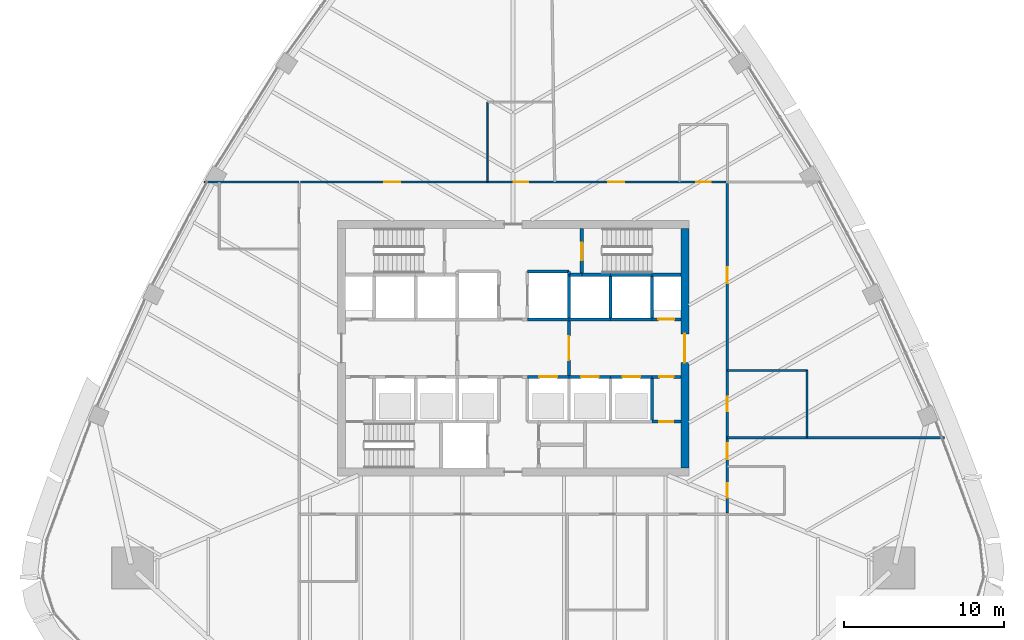
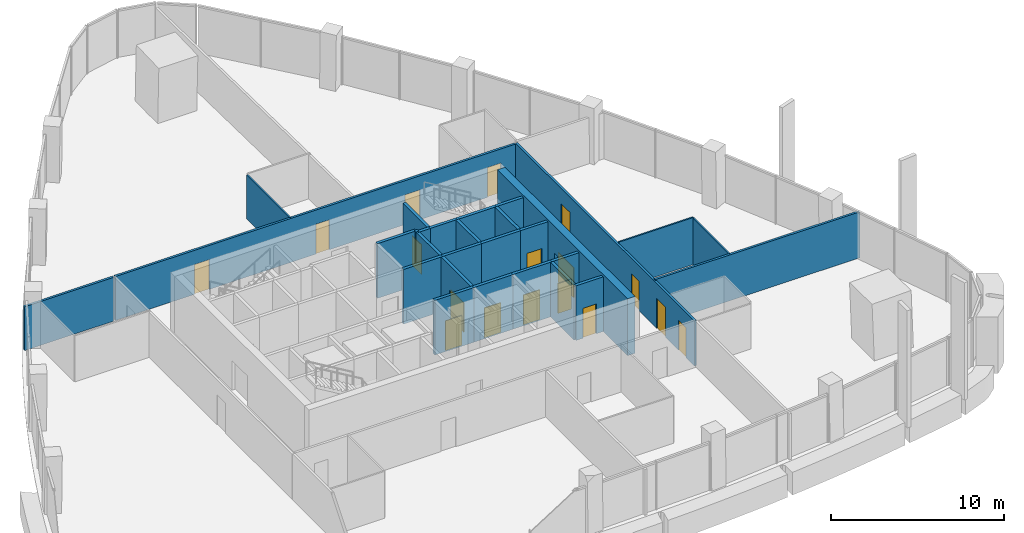
# One storey, part 11 of 17: 29 walls, 17 doors, 17 openings.
"""IFC4 building model written with IfcOpenShell, lengths in metres."""

from ifc_helpers import new_model, si_unit, direction, frame, frame_2d, origin, place, context, subcontext, project, spatial, rectangle, extrude, material, layer, layer_set, type_object, element, fill, save


model = new_model("IFC4")

# Units and contexts
model_context = context("Model", 3, precision=1e-05, world=origin(), true_north=direction((0.0, 1.0)))
body_context = subcontext(model_context, "Body", "Model", "MODEL_VIEW")
ifc_project = project(units=[si_unit("LENGTHUNIT", "METRE"), si_unit("AREAUNIT", "SQUARE_METRE"), si_unit("VOLUMEUNIT", "CUBIC_METRE"), si_unit("PLANEANGLEUNIT", "RADIAN"), si_unit("MASSUNIT", "GRAM", prefix="KILO")], contexts=[model_context])

# Site, building, storey
site_placement = place(None, origin())
site = spatial("IfcSite", under=ifc_project, at=site_placement, CompositionType="ELEMENT")
building_placement = place(site_placement, origin())
building = spatial("IfcBuilding", under=site, at=building_placement, Name="Sierra Prisma Convention Tower", CompositionType="ELEMENT")
storey_placement = place(building_placement, frame((0.0, 0.0, 169.800048828125)))
storey = spatial("IfcBuildingStorey", under=building, at=storey_placement, Name="L37", CompositionType="ELEMENT", Elevation=169.800048828125)

# Walls
ifc_material_1 = material(Name="Gypsum board partition", Category="gypsum")
ifc_layer_1 = layer(ifc_material_1, 0.10009765625)
ifc_layer_set_1 = layer_set([ifc_layer_1], Name="Bathroom partition 100")
wall_type_1 = type_object("IfcWallType", Name="Bathroom partition 100", PredefinedType="PARTITIONING", material=ifc_layer_set_1)
wall_1_placement = place(storey_placement, frame((-1.60009765625, 10.429931640625, 0.0), z_axis=(0.0, 0.0, 1.0), x_axis=(0.0, 1.0, 0.0)))
element("IfcWall", 1, at=wall_1_placement, inside=storey, type_object=wall_type_1, Name="Partition L37 bath 5", PredefinedType="PARTITIONING", context=body_context, shape_type="SweptSolid", body=[
    extrude(rectangle(XDim=4.969970703125, YDim=0.10009765625, at=frame_2d((2.48486328125, 0.0))), origin(), (0.0, 0.0, 1.0), 3.096923828125),
])
wall_2_placement = place(storey_placement, frame((13.429931640625, -1.39990234375, 0.0), z_axis=(0.0, 0.0, 1.0), x_axis=(1.0, 0.0, 0.0)))
element("IfcWall", 2, at=wall_2_placement, inside=storey, type_object=wall_type_1, Name="Partition L37 bath 15", PredefinedType="PARTITIONING", context=body_context, shape_type="SweptSolid", body=[
    extrude(rectangle(XDim=4.969970703125, YDim=0.10009765625, at=frame_2d((2.48486328125, 0.0))), origin(), (0.0, 0.0, 1.0), 3.300048828125),
])
wall_3_placement = place(storey_placement, frame((18.39990234375, -1.39990234375, 0.0), z_axis=(0.0, 0.0, 1.0), x_axis=(0.0, -1.0, 0.0)))
element("IfcWall", 3, at=wall_3_placement, inside=storey, type_object=wall_type_1, Name="Partition L37 bath 16", PredefinedType="PARTITIONING", context=body_context, shape_type="SweptSolid", body=[
    extrude(rectangle(XDim=4.170166015625, YDim=0.10009765625, at=frame_2d((2.0849609375, 0.0))), origin(), (0.0, 0.0, 1.0), 3.2470703125),
])

# Wall, opening, door
ifc_material_2 = material(Name="Concrete C30/37", Category="concrete")
ifc_layer_2 = layer(ifc_material_2, 0.199951171875)
ifc_layer_set_2 = layer_set([ifc_layer_2], Name="Core wall RC 200 C30/37")
wall_type_2 = type_object("IfcWallType", Name="Core wall RC 200 C30/37", PredefinedType="SOLIDWALL", material=ifc_layer_set_2)
wall_4_placement = place(storey_placement, frame((0.89990234375, -1.800048828125, 0.0), z_axis=(0.0, 0.0, 1.0), x_axis=(1.0, 0.0, 0.0)))
wall_4 = element("IfcWall", 4, at=wall_4_placement, inside=storey, type_object=wall_type_2, Name="Core wall L37 35", PredefinedType="SOLIDWALL", context=body_context, shape_type="SweptSolid", body=[
    extrude(rectangle(XDim=2.60009765625, YDim=0.199951171875, at=frame_2d((1.300048828125, 0.0))), origin(), (0.0, 0.0, 1.0), 3.849853515625),
])
opening_1_placement = place(wall_4_placement, frame((0.75, 0.0, 0.0)))
opening_1 = element("IfcOpeningElement", 5, at=opening_1_placement, cuts=wall_4, Name="Opening L37-D004", PredefinedType="OPENING", context=body_context, shape_type="SweptSolid", body=[
    extrude(rectangle(XDim=1.10009765625, YDim=2.10009765625, at=frame_2d((0.550048828125, 1.050048828125))), frame((0.0, 0.10009765625, 0.0), z_axis=(0.0, -1.0, 0.0), x_axis=(1.0, 0.0, 0.0)), (0.0, 0.0, 1.0), 0.199951171875),
])
ifc_material_3 = material(Name="Steel fire door leaf", Category="steel")
door_type_1 = type_object("IfcDoorType", Name="Door 1100x2100 EI 90 sliding lift landing", OperationType="SLIDING_TO_LEFT", PredefinedType="DOOR", material=ifc_material_3)
door_1_placement = place(opening_1_placement, origin())
door_1 = element("IfcDoor", 6, at=door_1_placement, inside=storey, type_object=door_type_1, Name="Door L37 18", OperationType="SLIDING_TO_LEFT", OverallHeight=2.10009765625, OverallWidth=1.10009765625, PredefinedType="DOOR", context=body_context, shape_type="SweptSolid", body=[
    extrude(rectangle(XDim=1.10009765625, YDim=2.10009765625, at=frame_2d((0.550048828125, 1.050048828125))), frame((0.0, 0.02490234375, 0.0), z_axis=(0.0, -1.0, 0.0), x_axis=(1.0, 0.0, 0.0)), (0.0, 0.0, 1.0), 0.050048828125),
])
fill(opening_1, door_1)

# Walls
wall_5_placement = place(storey_placement, frame((3.5, 1.800048828125, 0.0), z_axis=(0.0, 0.0, 1.0), x_axis=(-1.0, 0.0, 0.0)))
element("IfcWall", 7, at=wall_5_placement, inside=storey, type_object=wall_type_2, Name="Core wall L37 38", PredefinedType="SOLIDWALL", context=body_context, shape_type="SweptSolid", body=[
    extrude(rectangle(XDim=2.60009765625, YDim=0.199951171875, at=frame_2d((1.300048828125, 0.0))), origin(), (0.0, 0.0, 1.0), 3.849853515625),
])
wall_6_placement = place(storey_placement, frame((3.5, 4.60009765625, 0.0), z_axis=(0.0, 0.0, 1.0), x_axis=(0.0, 1.0, 0.0)))
element("IfcWall", 8, at=wall_6_placement, inside=storey, type_object=wall_type_2, Name="Core wall L37 39", PredefinedType="SOLIDWALL", context=body_context, shape_type="SweptSolid", body=[
    extrude(rectangle(XDim=0.199951171875, YDim=0.199951171875, at=frame_2d((0.10009765625, 0.0))), origin(), (0.0, 0.0, 1.0), 3.849853515625),
])
wall_7_placement = place(storey_placement, frame((3.5, 4.800048828125, 0.0), z_axis=(0.0, 0.0, 1.0), x_axis=(-1.0, 0.0, 0.0)))
element("IfcWall", 9, at=wall_7_placement, inside=storey, type_object=wall_type_2, Name="Core wall L37 40", PredefinedType="SOLIDWALL", context=body_context, shape_type="SweptSolid", body=[
    extrude(rectangle(XDim=2.60009765625, YDim=0.199951171875, at=frame_2d((1.300048828125, 0.0))), origin(), (0.0, 0.0, 1.0), 3.849853515625),
])

# Wall, opening, door
wall_8_placement = place(storey_placement, frame((3.5, -1.800048828125, 0.0), z_axis=(0.0, 0.0, 1.0), x_axis=(1.0, 0.0, 0.0)))
wall_8 = element("IfcWall", 10, at=wall_8_placement, inside=storey, type_object=wall_type_2, Name="Core wall L37 48", PredefinedType="SOLIDWALL", context=body_context, shape_type="SweptSolid", body=[
    extrude(rectangle(XDim=2.60009765625, YDim=0.199951171875, at=frame_2d((1.300048828125, 0.0))), origin(), (0.0, 0.0, 1.0), 3.849853515625),
])
opening_2_placement = place(wall_8_placement, frame((0.75, 0.0, 0.0)))
opening_2 = element("IfcOpeningElement", 11, at=opening_2_placement, cuts=wall_8, Name="Opening L37-D005", PredefinedType="OPENING", context=body_context, shape_type="SweptSolid", body=[
    extrude(rectangle(XDim=1.10009765625, YDim=2.10009765625, at=frame_2d((0.550048828125, 1.050048828125))), frame((0.0, 0.10009765625, 0.0), z_axis=(0.0, -1.0, 0.0), x_axis=(1.0, 0.0, 0.0)), (0.0, 0.0, 1.0), 0.199951171875),
])
door_2_placement = place(opening_2_placement, origin())
door_2 = element("IfcDoor", 12, at=door_2_placement, inside=storey, type_object=door_type_1, Name="Door L37 19", OperationType="SLIDING_TO_LEFT", OverallHeight=2.10009765625, OverallWidth=1.10009765625, PredefinedType="DOOR", context=body_context, shape_type="SweptSolid", body=[
    extrude(rectangle(XDim=1.10009765625, YDim=2.10009765625, at=frame_2d((0.550048828125, 1.050048828125))), frame((0.0, 0.02490234375, 0.0), z_axis=(0.0, -1.0, 0.0), x_axis=(1.0, 0.0, 0.0)), (0.0, 0.0, 1.0), 0.050048828125),
])
fill(opening_2, door_2)

wall_9_placement = place(storey_placement, frame((3.5, -1.800048828125, 0.0), z_axis=(0.0, 0.0, 1.0), x_axis=(0.0, 1.0, 0.0)))
wall_9 = element("IfcWall", 13, at=wall_9_placement, inside=storey, type_object=wall_type_2, Name="Core wall L37 49", PredefinedType="SOLIDWALL", context=body_context, shape_type="SweptSolid", body=[
    extrude(rectangle(XDim=3.60009765625, YDim=0.199951171875, at=frame_2d((1.800048828125, 0.0))), origin(), (0.0, 0.0, 1.0), 3.849853515625),
])
opening_3_placement = place(wall_9_placement, frame((1.050048828125, 0.0, 0.0)))
opening_3 = element("IfcOpeningElement", 14, at=opening_3_placement, cuts=wall_9, Name="Opening L37-D011", PredefinedType="OPENING", context=body_context, shape_type="SweptSolid", body=[
    extrude(rectangle(XDim=1.5, YDim=2.10009765625, at=frame_2d((0.75, 1.050048828125))), frame((0.0, 0.10009765625, 0.0), z_axis=(0.0, -1.0, 0.0), x_axis=(1.0, 0.0, 0.0)), (0.0, 0.0, 1.0), 0.199951171875),
])
ifc_material_4 = material(Name="Steel fire door leaf", Category="steel")
door_type_2 = type_object("IfcDoorType", Name="Door 1500x2100 FD30S", OperationType="DOUBLE_DOOR_SINGLE_SWING", PredefinedType="DOOR", material=ifc_material_4)
door_3_placement = place(opening_3_placement, origin())
door_3 = element("IfcDoor", 15, at=door_3_placement, inside=storey, type_object=door_type_2, Name="Door L37 25", OperationType="DOUBLE_DOOR_SINGLE_SWING", OverallHeight=2.10009765625, OverallWidth=1.5, PredefinedType="DOOR", context=body_context, shape_type="SweptSolid", body=[
    extrude(rectangle(XDim=1.5, YDim=2.10009765625, at=frame_2d((0.75, 1.050048828125))), frame((0.0, 0.02490234375, 0.0), z_axis=(0.0, -1.0, 0.0), x_axis=(1.0, 0.0, 0.0)), (0.0, 0.0, 1.0), 0.050048828125),
])
fill(opening_3, door_3)

# Walls
wall_10_placement = place(storey_placement, frame((6.10009765625, 1.800048828125, 0.0), z_axis=(0.0, 0.0, 1.0), x_axis=(-1.0, 0.0, 0.0)))
element("IfcWall", 16, at=wall_10_placement, inside=storey, type_object=wall_type_2, Name="Core wall L37 50", PredefinedType="SOLIDWALL", context=body_context, shape_type="SweptSolid", body=[
    extrude(rectangle(XDim=2.60009765625, YDim=0.199951171875, at=frame_2d((1.300048828125, 0.0))), origin(), (0.0, 0.0, 1.0), 3.849853515625),
])
wall_11_placement = place(storey_placement, frame((3.5, 1.800048828125, 0.0), z_axis=(0.0, 0.0, 1.0), x_axis=(0.0, 1.0, 0.0)))
element("IfcWall", 17, at=wall_11_placement, inside=storey, type_object=wall_type_2, Name="Core wall L37 51", PredefinedType="SOLIDWALL", context=body_context, shape_type="SweptSolid", body=[
    extrude(rectangle(XDim=2.800048828125, YDim=0.199951171875, at=frame_2d((1.39990234375, 0.0))), origin(), (0.0, 0.0, 1.0), 3.849853515625),
])
wall_12_placement = place(storey_placement, frame((4.300048828125, 4.60009765625, 0.0), z_axis=(0.0, 0.0, 1.0), x_axis=(-1.0, 0.0, 0.0)))
element("IfcWall", 18, at=wall_12_placement, inside=storey, type_object=wall_type_2, Name="Core wall L37 52", PredefinedType="SOLIDWALL", context=body_context, shape_type="SweptSolid", body=[
    extrude(rectangle(XDim=0.800048828125, YDim=0.199951171875, at=frame_2d((0.39990234375, 0.0))), origin(), (0.0, 0.0, 1.0), 3.849853515625),
])
wall_13_placement = place(storey_placement, frame((6.10009765625, 4.60009765625, 0.0), z_axis=(0.0, 0.0, 1.0), x_axis=(-1.0, 0.0, 0.0)))
element("IfcWall", 19, at=wall_13_placement, inside=storey, type_object=wall_type_2, Name="Core wall L37 53", PredefinedType="SOLIDWALL", context=body_context, shape_type="SweptSolid", body=[
    extrude(rectangle(XDim=1.800048828125, YDim=0.199951171875, at=frame_2d((0.89990234375, 0.0))), origin(), (0.0, 0.0, 1.0), 3.849853515625),
])

# Wall, opening, door
wall_14_placement = place(storey_placement, frame((4.300048828125, 7.5, 0.0), z_axis=(0.0, 0.0, 1.0), x_axis=(0.0, -1.0, 0.0)))
wall_14 = element("IfcWall", 20, at=wall_14_placement, inside=storey, type_object=wall_type_2, Name="Core wall L37 54", PredefinedType="SOLIDWALL", context=body_context, shape_type="SweptSolid", body=[
    extrude(rectangle(XDim=2.89990234375, YDim=0.199951171875, at=frame_2d((1.449951171875, 0.0))), origin(), (0.0, 0.0, 1.0), 3.849853515625),
])
opening_4_placement = place(wall_14_placement, frame((0.89990234375, 0.0, 0.0)))
opening_4 = element("IfcOpeningElement", 21, at=opening_4_placement, cuts=wall_14, Name="Opening L37-D019", PredefinedType="OPENING", context=body_context, shape_type="SweptSolid", body=[
    extrude(rectangle(XDim=1.10009765625, YDim=2.10009765625, at=frame_2d((0.550048828125, 1.050048828125))), frame((0.0, 0.10009765625, 0.0), z_axis=(0.0, -1.0, 0.0), x_axis=(1.0, 0.0, 0.0)), (0.0, 0.0, 1.0), 0.199951171875),
])
ifc_material_5 = material(Name="Steel fire door leaf", Category="steel")
door_type_3 = type_object("IfcDoorType", Name="Door 1100x2100 FD90S", OperationType="SINGLE_SWING_LEFT", PredefinedType="DOOR", material=ifc_material_5)
door_4_placement = place(opening_4_placement, origin())
door_4 = element("IfcDoor", 22, at=door_4_placement, inside=storey, type_object=door_type_3, Name="Door L37 33", OperationType="SINGLE_SWING_RIGHT", OverallHeight=2.10009765625, OverallWidth=1.10009765625, PredefinedType="DOOR", context=body_context, shape_type="SweptSolid", body=[
    extrude(rectangle(XDim=1.10009765625, YDim=2.10009765625, at=frame_2d((0.550048828125, 1.050048828125))), frame((0.0, 0.02490234375, 0.0), z_axis=(0.0, -1.0, 0.0), x_axis=(1.0, 0.0, 0.0)), (0.0, 0.0, 1.0), 0.050048828125),
])
fill(opening_4, door_4)

wall_15_placement = place(storey_placement, frame((6.10009765625, -1.800048828125, 0.0), z_axis=(0.0, 0.0, 1.0), x_axis=(1.0, 0.0, 0.0)))
wall_15 = element("IfcWall", 23, at=wall_15_placement, inside=storey, type_object=wall_type_2, Name="Core wall L37 60", PredefinedType="SOLIDWALL", context=body_context, shape_type="SweptSolid", body=[
    extrude(rectangle(XDim=2.599853515625, YDim=0.199951171875, at=frame_2d((1.2998046875, 0.0))), origin(), (0.0, 0.0, 1.0), 3.849853515625),
])
opening_5_placement = place(wall_15_placement, frame((0.75, 0.0, 0.0)))
opening_5 = element("IfcOpeningElement", 24, at=opening_5_placement, cuts=wall_15, Name="Opening L37-D006", PredefinedType="OPENING", context=body_context, shape_type="SweptSolid", body=[
    extrude(rectangle(XDim=1.10009765625, YDim=2.10009765625, at=frame_2d((0.550048828125, 1.050048828125))), frame((0.0, 0.10009765625, 0.0), z_axis=(0.0, -1.0, 0.0), x_axis=(1.0, 0.0, 0.0)), (0.0, 0.0, 1.0), 0.199951171875),
])
door_5_placement = place(opening_5_placement, origin())
door_5 = element("IfcDoor", 25, at=door_5_placement, inside=storey, type_object=door_type_1, Name="Door L37 20", OperationType="SLIDING_TO_RIGHT", OverallHeight=2.10009765625, OverallWidth=1.10009765625, PredefinedType="DOOR", context=body_context, shape_type="SweptSolid", body=[
    extrude(rectangle(XDim=1.10009765625, YDim=2.10009765625, at=frame_2d((0.550048828125, 1.050048828125))), frame((0.0, 0.02490234375, 0.0), z_axis=(0.0, -1.0, 0.0), x_axis=(1.0, 0.0, 0.0)), (0.0, 0.0, 1.0), 0.050048828125),
])
fill(opening_5, door_5)

# Walls
wall_16_placement = place(storey_placement, frame((8.699951171875, 1.800048828125, 0.0), z_axis=(0.0, 0.0, 1.0), x_axis=(-1.0, 0.0, 0.0)))
element("IfcWall", 26, at=wall_16_placement, inside=storey, type_object=wall_type_2, Name="Core wall L37 61", PredefinedType="SOLIDWALL", context=body_context, shape_type="SweptSolid", body=[
    extrude(rectangle(XDim=2.599853515625, YDim=0.199951171875, at=frame_2d((1.2998046875, 0.0))), origin(), (0.0, 0.0, 1.0), 3.849853515625),
])
wall_17_placement = place(storey_placement, frame((6.10009765625, 1.800048828125, 0.0), z_axis=(0.0, 0.0, 1.0), x_axis=(0.0, 1.0, 0.0)))
element("IfcWall", 27, at=wall_17_placement, inside=storey, type_object=wall_type_2, Name="Core wall L37 62", PredefinedType="SOLIDWALL", context=body_context, shape_type="SweptSolid", body=[
    extrude(rectangle(XDim=2.800048828125, YDim=0.199951171875, at=frame_2d((1.39990234375, 0.0))), origin(), (0.0, 0.0, 1.0), 3.849853515625),
])
wall_18_placement = place(storey_placement, frame((8.699951171875, 4.60009765625, 0.0), z_axis=(0.0, 0.0, 1.0), x_axis=(-1.0, 0.0, 0.0)))
element("IfcWall", 28, at=wall_18_placement, inside=storey, type_object=wall_type_2, Name="Core wall L37 63", PredefinedType="SOLIDWALL", context=body_context, shape_type="SweptSolid", body=[
    extrude(rectangle(XDim=2.599853515625, YDim=0.199951171875, at=frame_2d((1.2998046875, 0.0))), origin(), (0.0, 0.0, 1.0), 3.849853515625),
])

# Wall, opening, door
wall_19_placement = place(storey_placement, frame((10.5, -4.60009765625, 0.0), z_axis=(0.0, 0.0, 1.0), x_axis=(-1.0, 0.0, 0.0)))
wall_19 = element("IfcWall", 29, at=wall_19_placement, inside=storey, type_object=wall_type_2, Name="Core wall L37 64", PredefinedType="SOLIDWALL", context=body_context, shape_type="SweptSolid", body=[
    extrude(rectangle(XDim=1.800048828125, YDim=0.199951171875, at=frame_2d((0.89990234375, 0.0))), origin(), (0.0, 0.0, 1.0), 3.849853515625),
])
opening_6_placement = place(wall_19_placement, frame((0.4599609375, 0.0, 0.0)))
opening_6 = element("IfcOpeningElement", 30, at=opening_6_placement, cuts=wall_19, Name="Opening L37-D020", PredefinedType="OPENING", context=body_context, shape_type="SweptSolid", body=[
    extrude(rectangle(XDim=0.89990234375, YDim=2.10009765625, at=frame_2d((0.449951171875, 1.050048828125))), frame((0.0, 0.10009765625, 0.0), z_axis=(0.0, -1.0, 0.0), x_axis=(1.0, 0.0, 0.0)), (0.0, 0.0, 1.0), 0.199951171875),
])
ifc_material_6 = material(Name="Steel fire door leaf", Category="steel")
door_type_4 = type_object("IfcDoorType", Name="Door 900x2100 FD30S", OperationType="SINGLE_SWING_LEFT", PredefinedType="DOOR", material=ifc_material_6)
door_6_placement = place(opening_6_placement, origin())
door_6 = element("IfcDoor", 31, at=door_6_placement, inside=storey, type_object=door_type_4, Name="Door L37 34", OperationType="SINGLE_SWING_LEFT", OverallHeight=2.10009765625, OverallWidth=0.89990234375, PredefinedType="DOOR", context=body_context, shape_type="SweptSolid", body=[
    extrude(rectangle(XDim=0.89990234375, YDim=2.10009765625, at=frame_2d((0.449951171875, 1.050048828125))), frame((0.0, 0.02490234375, 0.0), z_axis=(0.0, -1.0, 0.0), x_axis=(1.0, 0.0, 0.0)), (0.0, 0.0, 1.0), 0.050048828125),
])
fill(opening_6, door_6)

# Wall
wall_20_placement = place(storey_placement, frame((8.699951171875, -1.800048828125, 0.0), z_axis=(0.0, 0.0, 1.0), x_axis=(0.0, -1.0, 0.0)))
element("IfcWall", 32, at=wall_20_placement, inside=storey, type_object=wall_type_2, Name="Core wall L37 65", PredefinedType="SOLIDWALL", context=body_context, shape_type="SweptSolid", body=[
    extrude(rectangle(XDim=2.800048828125, YDim=0.199951171875, at=frame_2d((1.39990234375, 0.0))), origin(), (0.0, 0.0, 1.0), 3.849853515625),
])

# Wall, opening, door
wall_21_placement = place(storey_placement, frame((8.699951171875, -1.800048828125, 0.0), z_axis=(0.0, 0.0, 1.0), x_axis=(1.0, 0.0, 0.0)))
wall_21 = element("IfcWall", 33, at=wall_21_placement, inside=storey, type_object=wall_type_2, Name="Core wall L37 66", PredefinedType="SOLIDWALL", context=body_context, shape_type="SweptSolid", body=[
    extrude(rectangle(XDim=1.800048828125, YDim=0.199951171875, at=frame_2d((0.89990234375, 0.0))), origin(), (0.0, 0.0, 1.0), 3.849853515625),
])
opening_7_placement = place(wall_21_placement, frame((0.449951171875, 0.0, 0.0)))
opening_7 = element("IfcOpeningElement", 34, at=opening_7_placement, cuts=wall_21, Name="Opening L37-D021", PredefinedType="OPENING", context=body_context, shape_type="SweptSolid", body=[
    extrude(rectangle(XDim=0.89990234375, YDim=2.10009765625, at=frame_2d((0.449951171875, 1.050048828125))), frame((0.0, 0.10009765625, 0.0), z_axis=(0.0, -1.0, 0.0), x_axis=(1.0, 0.0, 0.0)), (0.0, 0.0, 1.0), 0.199951171875),
])
door_7_placement = place(opening_7_placement, origin())
door_7 = element("IfcDoor", 35, at=door_7_placement, inside=storey, type_object=door_type_4, Name="Door L37 35", OperationType="SINGLE_SWING_LEFT", OverallHeight=2.10009765625, OverallWidth=0.89990234375, PredefinedType="DOOR", context=body_context, shape_type="SweptSolid", body=[
    extrude(rectangle(XDim=0.89990234375, YDim=2.10009765625, at=frame_2d((0.449951171875, 1.050048828125))), frame((0.0, 0.02490234375, 0.0), z_axis=(0.0, -1.0, 0.0), x_axis=(1.0, 0.0, 0.0)), (0.0, 0.0, 1.0), 0.050048828125),
])
fill(opening_7, door_7)

wall_22_placement = place(storey_placement, frame((10.5, 1.800048828125, 0.0), z_axis=(0.0, 0.0, 1.0), x_axis=(-1.0, 0.0, 0.0)))
wall_22 = element("IfcWall", 36, at=wall_22_placement, inside=storey, type_object=wall_type_2, Name="Core wall L37 67", PredefinedType="SOLIDWALL", context=body_context, shape_type="SweptSolid", body=[
    extrude(rectangle(XDim=1.800048828125, YDim=0.199951171875, at=frame_2d((0.89990234375, 0.0))), origin(), (0.0, 0.0, 1.0), 3.849853515625),
])
opening_8_placement = place(wall_22_placement, frame((0.39990234375, 0.0, 0.0)))
opening_8 = element("IfcOpeningElement", 37, at=opening_8_placement, cuts=wall_22, Name="Opening L37-D016", PredefinedType="OPENING", context=body_context, shape_type="SweptSolid", body=[
    extrude(rectangle(XDim=1.0, YDim=2.10009765625, at=frame_2d((0.5, 1.050048828125))), frame((0.0, 0.10009765625, 0.0), z_axis=(0.0, -1.0, 0.0), x_axis=(1.0, 0.0, 0.0)), (0.0, 0.0, 1.0), 0.199951171875),
])
ifc_material_7 = material(Name="Steel fire door leaf", Category="steel")
door_type_5 = type_object("IfcDoorType", Name="Door 1000x2100 FD60S", OperationType="SINGLE_SWING_LEFT", PredefinedType="DOOR", material=ifc_material_7)
door_8_placement = place(opening_8_placement, origin())
door_8 = element("IfcDoor", 38, at=door_8_placement, inside=storey, type_object=door_type_5, Name="Door L37 30", OperationType="SINGLE_SWING_LEFT", OverallHeight=2.10009765625, OverallWidth=1.0, PredefinedType="DOOR", context=body_context, shape_type="SweptSolid", body=[
    extrude(rectangle(XDim=1.0, YDim=2.10009765625, at=frame_2d((0.5, 1.050048828125))), frame((0.0, 0.02490234375, 0.0), z_axis=(0.0, -1.0, 0.0), x_axis=(1.0, 0.0, 0.0)), (0.0, 0.0, 1.0), 0.050048828125),
])
fill(opening_8, door_8)

# Walls
wall_23_placement = place(storey_placement, frame((8.699951171875, 4.60009765625, 0.0), z_axis=(0.0, 0.0, 1.0), x_axis=(0.0, -1.0, 0.0)))
element("IfcWall", 39, at=wall_23_placement, inside=storey, type_object=wall_type_2, Name="Core wall L37 68", PredefinedType="SOLIDWALL", context=body_context, shape_type="SweptSolid", body=[
    extrude(rectangle(XDim=2.800048828125, YDim=0.199951171875, at=frame_2d((1.39990234375, 0.0))), origin(), (0.0, 0.0, 1.0), 3.849853515625),
])
wall_24_placement = place(storey_placement, frame((10.5, 4.60009765625, 0.0), z_axis=(0.0, 0.0, 1.0), x_axis=(-1.0, 0.0, 0.0)))
element("IfcWall", 40, at=wall_24_placement, inside=storey, type_object=wall_type_2, Name="Core wall L37 69", PredefinedType="SOLIDWALL", context=body_context, shape_type="SweptSolid", body=[
    extrude(rectangle(XDim=1.800048828125, YDim=0.199951171875, at=frame_2d((0.89990234375, 0.0))), origin(), (0.0, 0.0, 1.0), 3.849853515625),
])

# Wall, opening, door
ifc_material_8 = material(Name="Concrete C60/75", Category="concrete")
ifc_layer_3 = layer(ifc_material_8, 0.5)
ifc_layer_set_3 = layer_set([ifc_layer_3], Name="Core wall RC 500 C60/75")
wall_type_3 = type_object("IfcWallType", Name="Core wall RC 500 C60/75", PredefinedType="SHEAR", material=ifc_layer_set_3)
wall_25_placement = place(storey_placement, frame((10.75, -7.5, 0.0), z_axis=(0.0, 0.0, 1.0), x_axis=(0.0, 1.0, 0.0)))
wall_25 = element("IfcWall", 41, at=wall_25_placement, inside=storey, type_object=wall_type_3, Name="Core wall E L37", PredefinedType="SHEAR", context=body_context, shape_type="SweptSolid", body=[
    extrude(rectangle(XDim=15.0, YDim=0.5, at=frame_2d((7.5, 0.0))), origin(), (0.0, 0.0, 1.0), 4.0),
])
opening_9_placement = place(wall_25_placement, frame((6.60009765625, 0.0, 0.0)))
opening_9 = element("IfcOpeningElement", 42, at=opening_9_placement, cuts=wall_25, Name="Opening L37-D038", PredefinedType="OPENING", context=body_context, shape_type="SweptSolid", body=[
    extrude(rectangle(XDim=1.800048828125, YDim=2.10009765625, at=frame_2d((0.89990234375, 1.050048828125))), frame((0.0, 0.25, 0.0), z_axis=(0.0, -1.0, 0.0), x_axis=(1.0, 0.0, 0.0)), (0.0, 0.0, 1.0), 0.5),
])
ifc_material_9 = material(Name="Steel fire door leaf", Category="steel")
door_type_6 = type_object("IfcDoorType", Name="Door 1800x2100 FD60S", OperationType="DOUBLE_DOOR_SINGLE_SWING", PredefinedType="DOOR", material=ifc_material_9)
door_9_placement = place(opening_9_placement, origin())
door_9 = element("IfcDoor", 43, at=door_9_placement, inside=storey, type_object=door_type_6, Name="Door L37 39", OperationType="DOUBLE_DOOR_SINGLE_SWING", OverallHeight=2.10009765625, OverallWidth=1.800048828125, PredefinedType="DOOR", context=body_context, shape_type="SweptSolid", body=[
    extrude(rectangle(XDim=1.800048828125, YDim=2.10009765625, at=frame_2d((0.89990234375, 1.050048828125))), frame((0.0, 0.02490234375, 0.0), z_axis=(0.0, -1.0, 0.0), x_axis=(1.0, 0.0, 0.0)), (0.0, 0.0, 1.0), 0.050048828125),
])
fill(opening_9, door_9)

# Wall, openings, doors
ifc_material_10 = material(Name="Gypsum board partition", Category="gypsum")
ifc_layer_4 = layer(ifc_material_10, 0.14990234375)
ifc_layer_set_4 = layer_set([ifc_layer_4], Name="Corridor wall 150 gypsum EI 60")
wall_type_4 = type_object("IfcWallType", Name="Corridor wall 150 gypsum EI 60", PredefinedType="PARTITIONING", material=ifc_layer_set_4)
wall_26_placement = place(storey_placement, frame((13.320068359375, 10.39990234375, 0.0), z_axis=(0.0, 0.0, 1.0), x_axis=(-1.0, 0.0, 0.0)))
wall_26 = element("IfcWall", 44, at=wall_26_placement, inside=storey, type_object=wall_type_4, Name="Partition L37 corr 3", PredefinedType="PARTITIONING", context=body_context, shape_type="SweptSolid", body=[
    extrude(rectangle(XDim=26.64013671875, YDim=0.14990234375, at=frame_2d((13.320068359375, 0.0))), origin(), (0.0, 0.0, 1.0), 3.096923828125),
])
opening_10_placement = place(wall_26_placement, frame((0.949951171875, 0.0, 0.0)))
opening_10 = element("IfcOpeningElement", 45, at=opening_10_placement, cuts=wall_26, Name="Opening L37-D026", PredefinedType="OPENING", context=body_context, shape_type="SweptSolid", body=[
    extrude(rectangle(XDim=0.89990234375, YDim=2.10009765625, at=frame_2d((0.449951171875, 1.050048828125))), frame((0.0, 0.074951171875, 0.0), z_axis=(0.0, -1.0, 0.0), x_axis=(1.0, 0.0, 0.0)), (0.0, 0.0, 1.0), 0.14990234375),
])
opening_11_placement = place(wall_26_placement, frame((6.360107421875, 0.0, 0.0)))
opening_11 = element("IfcOpeningElement", 46, at=opening_11_placement, cuts=wall_26, Name="Opening L37-D027", PredefinedType="OPENING", context=body_context, shape_type="SweptSolid", body=[
    extrude(rectangle(XDim=1.0, YDim=2.10009765625, at=frame_2d((0.5, 1.050048828125))), frame((0.0, 0.074951171875, 0.0), z_axis=(0.0, -1.0, 0.0), x_axis=(1.0, 0.0, 0.0)), (0.0, 0.0, 1.0), 0.14990234375),
])
opening_12_placement = place(wall_26_placement, frame((12.3701171875, 0.0, 0.0)))
opening_12 = element("IfcOpeningElement", 47, at=opening_12_placement, cuts=wall_26, Name="Opening L37-D028", PredefinedType="OPENING", context=body_context, shape_type="SweptSolid", body=[
    extrude(rectangle(XDim=0.89990234375, YDim=2.10009765625, at=frame_2d((0.449951171875, 1.050048828125))), frame((0.0, 0.074951171875, 0.0), z_axis=(0.0, -1.0, 0.0), x_axis=(1.0, 0.0, 0.0)), (0.0, 0.0, 1.0), 0.14990234375),
])
opening_13_placement = place(wall_26_placement, frame((20.3798828125, 0.0, 0.0)))
opening_13 = element("IfcOpeningElement", 48, at=opening_13_placement, cuts=wall_26, Name="Opening L37-D029", PredefinedType="OPENING", context=body_context, shape_type="SweptSolid", body=[
    extrude(rectangle(XDim=1.0, YDim=2.10009765625, at=frame_2d((0.5, 1.050048828125))), frame((0.0, 0.074951171875, 0.0), z_axis=(0.0, -1.0, 0.0), x_axis=(1.0, 0.0, 0.0)), (0.0, 0.0, 1.0), 0.14990234375),
])
ifc_material_11 = material(Name="Steel fire door leaf", Category="steel")
door_type_7 = type_object("IfcDoorType", Name="Door 1000x2100 FD30S", OperationType="SINGLE_SWING_LEFT", PredefinedType="DOOR", material=ifc_material_11)
door_10_placement = place(opening_11_placement, origin())
door_10 = element("IfcDoor", 49, at=door_10_placement, inside=storey, type_object=door_type_7, Name="Door L37 4", OperationType="SINGLE_SWING_RIGHT", OverallHeight=2.10009765625, OverallWidth=1.0, PredefinedType="DOOR", context=body_context, shape_type="SweptSolid", body=[
    extrude(rectangle(XDim=1.0, YDim=2.10009765625, at=frame_2d((0.5, 1.050048828125))), frame((0.0, 0.02490234375, 0.0), z_axis=(0.0, -1.0, 0.0), x_axis=(1.0, 0.0, 0.0)), (0.0, 0.0, 1.0), 0.050048828125),
])
fill(opening_11, door_10)
door_11_placement = place(opening_13_placement, origin())
door_11 = element("IfcDoor", 50, at=door_11_placement, inside=storey, type_object=door_type_7, Name="Door L37 6", OperationType="SINGLE_SWING_LEFT", OverallHeight=2.10009765625, OverallWidth=1.0, PredefinedType="DOOR", context=body_context, shape_type="SweptSolid", body=[
    extrude(rectangle(XDim=1.0, YDim=2.10009765625, at=frame_2d((0.5, 1.050048828125))), frame((0.0, 0.02490234375, 0.0), z_axis=(0.0, -1.0, 0.0), x_axis=(1.0, 0.0, 0.0)), (0.0, 0.0, 1.0), 0.050048828125),
])
fill(opening_13, door_11)
door_12_placement = place(opening_10_placement, origin())
door_12 = element("IfcDoor", 51, at=door_12_placement, inside=storey, type_object=door_type_4, Name="Door L37 3", OperationType="SINGLE_SWING_RIGHT", OverallHeight=2.10009765625, OverallWidth=0.89990234375, PredefinedType="DOOR", context=body_context, shape_type="SweptSolid", body=[
    extrude(rectangle(XDim=0.89990234375, YDim=2.10009765625, at=frame_2d((0.449951171875, 1.050048828125))), frame((0.0, 0.02490234375, 0.0), z_axis=(0.0, -1.0, 0.0), x_axis=(1.0, 0.0, 0.0)), (0.0, 0.0, 1.0), 0.050048828125),
])
fill(opening_10, door_12)
door_13_placement = place(opening_12_placement, origin())
door_13 = element("IfcDoor", 52, at=door_13_placement, inside=storey, type_object=door_type_4, Name="Door L37 5", OperationType="SINGLE_SWING_RIGHT", OverallHeight=2.10009765625, OverallWidth=0.89990234375, PredefinedType="DOOR", context=body_context, shape_type="SweptSolid", body=[
    extrude(rectangle(XDim=0.89990234375, YDim=2.10009765625, at=frame_2d((0.449951171875, 1.050048828125))), frame((0.0, 0.02490234375, 0.0), z_axis=(0.0, -1.0, 0.0), x_axis=(1.0, 0.0, 0.0)), (0.0, 0.0, 1.0), 0.050048828125),
])
fill(opening_12, door_13)

wall_27_placement = place(storey_placement, frame((13.39990234375, -10.320068359375, 0.0), z_axis=(0.0, 0.0, 1.0), x_axis=(0.0, 1.0, 0.0)))
wall_27 = element("IfcWall", 53, at=wall_27_placement, inside=storey, type_object=wall_type_4, Name="Partition L37 corr 4", PredefinedType="PARTITIONING", context=body_context, shape_type="SweptSolid", body=[
    extrude(rectangle(XDim=20.64013671875, YDim=0.14990234375, at=frame_2d((10.320068359375, 0.0))), origin(), (0.0, 0.0, 1.0), 3.166015625),
])
opening_14_placement = place(wall_27_placement, frame((6.3701171875, 0.0, 0.0)))
opening_14 = element("IfcOpeningElement", 54, at=opening_14_placement, cuts=wall_27, Name="Opening L37-D024", PredefinedType="OPENING", context=body_context, shape_type="SweptSolid", body=[
    extrude(rectangle(XDim=0.89990234375, YDim=2.10009765625, at=frame_2d((0.449951171875, 1.050048828125))), frame((0.0, 0.074951171875, 0.0), z_axis=(0.0, -1.0, 0.0), x_axis=(1.0, 0.0, 0.0)), (0.0, 0.0, 1.0), 0.14990234375),
])
opening_15_placement = place(wall_27_placement, frame((14.3701171875, 0.0, 0.0)))
opening_15 = element("IfcOpeningElement", 55, at=opening_15_placement, cuts=wall_27, Name="Opening L37-D025", PredefinedType="OPENING", context=body_context, shape_type="SweptSolid", body=[
    extrude(rectangle(XDim=1.0, YDim=2.10009765625, at=frame_2d((0.5, 1.050048828125))), frame((0.0, 0.074951171875, 0.0), z_axis=(0.0, -1.0, 0.0), x_axis=(1.0, 0.0, 0.0)), (0.0, 0.0, 1.0), 0.14990234375),
])
opening_16_placement = place(wall_27_placement, frame((0.949951171875, 0.0, 0.0)))
opening_16 = element("IfcOpeningElement", 56, at=opening_16_placement, cuts=wall_27, Name="Opening L37-D036", PredefinedType="OPENING", context=body_context, shape_type="SweptSolid", body=[
    extrude(rectangle(XDim=0.89990234375, YDim=2.10009765625, at=frame_2d((0.449951171875, 1.050048828125))), frame((0.0, 0.074951171875, 0.0), z_axis=(0.0, -1.0, 0.0), x_axis=(1.0, 0.0, 0.0)), (0.0, 0.0, 1.0), 0.14990234375),
])
opening_17_placement = place(wall_27_placement, frame((3.360107421875, 0.0, 0.0)))
opening_17 = element("IfcOpeningElement", 57, at=opening_17_placement, cuts=wall_27, Name="Opening L37-D037", PredefinedType="OPENING", context=body_context, shape_type="SweptSolid", body=[
    extrude(rectangle(XDim=1.0, YDim=2.10009765625, at=frame_2d((0.5, 1.050048828125))), frame((0.0, 0.074951171875, 0.0), z_axis=(0.0, -1.0, 0.0), x_axis=(1.0, 0.0, 0.0)), (0.0, 0.0, 1.0), 0.14990234375),
])
door_14_placement = place(opening_15_placement, origin())
door_14 = element("IfcDoor", 58, at=door_14_placement, inside=storey, type_object=door_type_7, Name="Door L37 2", OperationType="SINGLE_SWING_LEFT", OverallHeight=2.10009765625, OverallWidth=1.0, PredefinedType="DOOR", context=body_context, shape_type="SweptSolid", body=[
    extrude(rectangle(XDim=1.0, YDim=2.10009765625, at=frame_2d((0.5, 1.050048828125))), frame((0.0, 0.02490234375, 0.0), z_axis=(0.0, -1.0, 0.0), x_axis=(1.0, 0.0, 0.0)), (0.0, 0.0, 1.0), 0.050048828125),
])
fill(opening_15, door_14)
door_15_placement = place(opening_17_placement, origin())
door_15 = element("IfcDoor", 59, at=door_15_placement, inside=storey, type_object=door_type_7, Name="Door L37 14", OperationType="SINGLE_SWING_LEFT", OverallHeight=2.10009765625, OverallWidth=1.0, PredefinedType="DOOR", context=body_context, shape_type="SweptSolid", body=[
    extrude(rectangle(XDim=1.0, YDim=2.10009765625, at=frame_2d((0.5, 1.050048828125))), frame((0.0, 0.02490234375, 0.0), z_axis=(0.0, -1.0, 0.0), x_axis=(1.0, 0.0, 0.0)), (0.0, 0.0, 1.0), 0.050048828125),
])
fill(opening_17, door_15)
door_16_placement = place(opening_14_placement, origin())
door_16 = element("IfcDoor", 60, at=door_16_placement, inside=storey, type_object=door_type_4, Name="Door L37 1", OperationType="SINGLE_SWING_RIGHT", OverallHeight=2.10009765625, OverallWidth=0.89990234375, PredefinedType="DOOR", context=body_context, shape_type="SweptSolid", body=[
    extrude(rectangle(XDim=0.89990234375, YDim=2.10009765625, at=frame_2d((0.449951171875, 1.050048828125))), frame((0.0, 0.02490234375, 0.0), z_axis=(0.0, -1.0, 0.0), x_axis=(1.0, 0.0, 0.0)), (0.0, 0.0, 1.0), 0.050048828125),
])
fill(opening_14, door_16)
door_17_placement = place(opening_16_placement, origin())
door_17 = element("IfcDoor", 61, at=door_17_placement, inside=storey, type_object=door_type_4, Name="Door L37 13", OperationType="SINGLE_SWING_LEFT", OverallHeight=2.10009765625, OverallWidth=0.89990234375, PredefinedType="DOOR", context=body_context, shape_type="SweptSolid", body=[
    extrude(rectangle(XDim=0.89990234375, YDim=2.10009765625, at=frame_2d((0.449951171875, 1.050048828125))), frame((0.0, 0.02490234375, 0.0), z_axis=(0.0, -1.0, 0.0), x_axis=(1.0, 0.0, 0.0)), (0.0, 0.0, 1.0), 0.050048828125),
])
fill(opening_16, door_17)

# Walls
ifc_material_12 = material(Name="Gypsum board partition", Category="gypsum")
ifc_layer_5 = layer(ifc_material_12, 0.14990234375)
ifc_layer_set_5 = layer_set([ifc_layer_5], Name="Party wall 150 gypsum")
wall_type_5 = type_object("IfcWallType", Name="Party wall 150 gypsum", PredefinedType="PARTITIONING", material=ifc_layer_set_5)
wall_28_placement = place(storey_placement, frame((-13.39990234375, 10.39990234375, 0.0), z_axis=(0.0, 0.0, 1.0), x_axis=(-1.0, 0.0, 0.0)))
element("IfcWall", 62, at=wall_28_placement, inside=storey, type_object=wall_type_5, Name="Partition L37 party 1", PredefinedType="PARTITIONING", context=body_context, shape_type="SweptSolid", body=[
    extrude(rectangle(XDim=5.9501953125, YDim=0.14990234375, at=frame_2d((2.97509765625, 0.0))), origin(), (0.0, 0.0, 1.0), 3.083984375),
])
wall_29_placement = place(storey_placement, frame((27.017578125, -5.60009765625, 0.0), z_axis=(0.0, 0.0, 1.0), x_axis=(-1.0, 0.0, 0.0)))
element("IfcWall", 63, at=wall_29_placement, inside=storey, type_object=wall_type_5, Name="Partition L37 party 6", PredefinedType="PARTITIONING", context=body_context, shape_type="SweptSolid", body=[
    extrude(rectangle(XDim=13.61767578125, YDim=0.14990234375, at=frame_2d((6.808837890625, 0.0))), origin(), (0.0, 0.0, 1.0), 3.23388671875),
])

save(model, "model.ifc")
